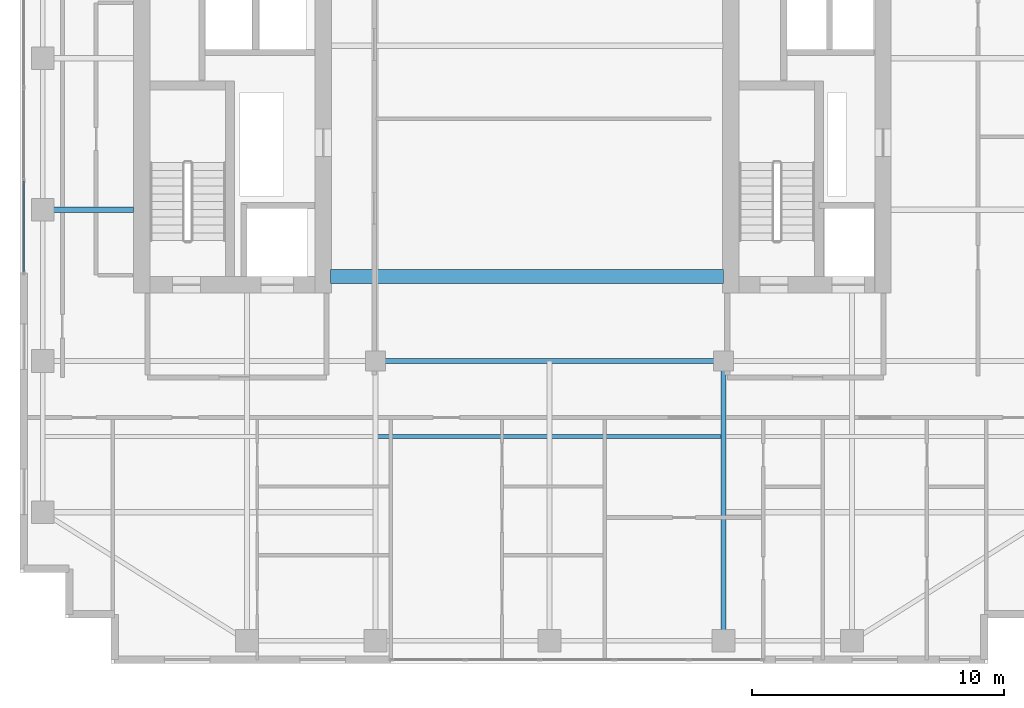
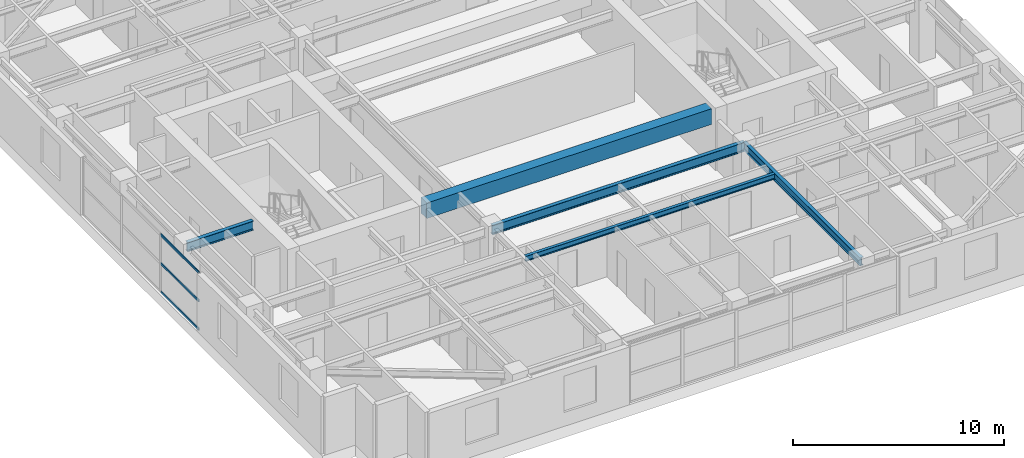
# One storey, part 7 of 24: 5 beams, 3 members, 1 element without a shape of its own.
"""IFC4 building model written with IfcOpenShell, lengths in metres."""

from ifc_helpers import new_model, si_unit, direction, frame, origin, origin_2d, place, context, subcontext, project, spatial, rectangle, hollow_rectangle, i_section, extrude, source, transform, mapped, material, layer, layer_set, material_profile, profile_set, type_object, element, aggregate, save


model = new_model("IFC4")

# Units and contexts
model_context = context("Model", 3, precision=1e-05, world=origin(), true_north=direction((0.0, 1.0)))
body_context = subcontext(model_context, "Body", "Model", "MODEL_VIEW")
ifc_project = project(units=[si_unit("LENGTHUNIT", "METRE"), si_unit("AREAUNIT", "SQUARE_METRE"), si_unit("VOLUMEUNIT", "CUBIC_METRE"), si_unit("PLANEANGLEUNIT", "RADIAN"), si_unit("MASSUNIT", "GRAM", prefix="KILO")], contexts=[model_context])

# Site, building, storey
site_placement = place(None, origin())
site = spatial("IfcSite", under=ifc_project, at=site_placement, CompositionType="ELEMENT")
building_placement = place(site_placement, origin())
building = spatial("IfcBuilding", under=site, at=building_placement, Name="Khoralis Quay Care Tower", CompositionType="ELEMENT")
storey_placement = place(building_placement, frame((0.0, 0.0, 155.699951171875)))
storey = spatial("IfcBuildingStorey", under=building, at=storey_placement, Name="L40", CompositionType="ELEMENT", Elevation=155.699951171875)

# Beams
ifc_material_1 = material(Name="Concrete C65/80", Category="concrete")
ifc_material_profile_1 = material_profile(ifc_material_1, rectangle(XDim=0.550048828125, YDim=0.89990234375, at=origin_2d()), Name="Concrete C65/80")
ifc_profile_set_1 = profile_set([ifc_material_profile_1], Name="Concrete C65/80")
beam_type_1 = type_object("IfcBeamType", Name="CB-RC550X900", PredefinedType="LINTEL", material=ifc_profile_set_1)
shared_shape_1 = source(origin(), body_context, "Body", "SweptSolid", [
    extrude(rectangle(XDim=0.550048828125, YDim=0.89990234375, at=origin_2d()), origin(), (0.0, 0.0, 1.0), 15.579833984375),
])
beam_1_placement = place(storey_placement, frame((15.320068359375, 15.35009765625, 2.89013671875), z_axis=(1.0, 0.0, 0.0), x_axis=(0.0, 1.0, 0.0)))
element("IfcBeam", 1, at=beam_1_placement, inside=storey, type_object=beam_type_1, Name="L40 South Core Coupling Lintel", PredefinedType="LINTEL", context=body_context, shape_type="MappedRepresentation", body=[
    mapped(shared_shape_1, transform((0.0, 0.0, 0.0), scale=1.0)),
])
ifc_material_2 = material(Name="Steel S355", Category="steel")
ifc_material_profile_2 = material_profile(ifc_material_2, i_section(OverallWidth=0.208984375, OverallDepth=0.532958984375, WebThickness=0.01025390625, FlangeThickness=0.015625, FilletRadius=0.01611328125, at=origin_2d()), Name="Steel S355")
ifc_profile_set_2 = profile_set([ifc_material_profile_2], Name="Steel S355")
beam_type_2 = type_object("IfcBeamType", Name="BM-W530X92", PredefinedType="BEAM", material=ifc_profile_set_2)
shared_shape_2 = source(origin(), body_context, "Body", "SweptSolid", [
    extrude(i_section(OverallWidth=0.208984375, OverallDepth=0.532958984375, WebThickness=0.01025390625, FlangeThickness=0.015625, FilletRadius=0.01611328125, at=origin_2d()), origin(), (0.0, 0.0, 1.0), 3.60205078125),
])
beam_2_placement = place(storey_placement, frame((3.89990234375, 18.0, 3.073486328125), z_axis=(1.0, 0.0, 0.0), x_axis=(0.0, 1.0, 0.0)))
element("IfcBeam", 2, at=beam_2_placement, inside=storey, type_object=beam_type_2, Name="BM-TGXW-L40-180", PredefinedType="BEAM", context=body_context, shape_type="MappedRepresentation", body=[
    mapped(shared_shape_2, transform((0.0, 0.0, 0.0), scale=1.0)),
])
shared_shape_3 = source(origin(), body_context, "Body", "SweptSolid", [
    extrude(i_section(OverallWidth=0.208984375, OverallDepth=0.532958984375, WebThickness=0.01025390625, FlangeThickness=0.015625, FilletRadius=0.01611328125, at=origin_2d()), origin(), (0.0, 0.0, 1.0), 13.7998046875),
])
beam_3_placement = place(storey_placement, frame((17.10009765625, 12.0, 3.073486328125), z_axis=(1.0, 0.0, 0.0), x_axis=(0.0, 1.0, 0.0)))
element("IfcBeam", 3, at=beam_3_placement, inside=storey, type_object=beam_type_2, Name="BM-TGCC-L40-120", PredefinedType="BEAM", context=body_context, shape_type="MappedRepresentation", body=[
    mapped(shared_shape_3, transform((0.0, 0.0, 0.0), scale=1.0)),
])
ifc_material_profile_3 = material_profile(ifc_material_2, i_section(OverallWidth=0.19189453125, OverallDepth=0.462890625, WebThickness=0.010498046875, FlangeThickness=0.017578125, FilletRadius=0.014892578125, at=origin_2d()), Name="Steel S355")
ifc_profile_set_3 = profile_set([ifc_material_profile_3], Name="Steel S355")
beam_type_3 = type_object("IfcBeamType", Name="BM-W460X89", PredefinedType="BEAM", material=ifc_profile_set_3)
shared_shape_4 = source(origin(), body_context, "Body", "SweptSolid", [
    extrude(i_section(OverallWidth=0.19189453125, OverallDepth=0.462890625, WebThickness=0.010498046875, FlangeThickness=0.017578125, FilletRadius=0.014892578125, at=origin_2d()), origin(), (0.0, 0.0, 1.0), 11.10009765625),
])
beam_4_placement = place(storey_placement, frame((30.89990234375, 0.89990234375, 3.108642578125), z_axis=(0.0, 1.0, 0.0), x_axis=(-1.0, 0.0, 0.0)))
element("IfcBeam", 4, at=beam_4_placement, inside=storey, type_object=beam_type_3, Name="BM-TGYS-L40-309", PredefinedType="BEAM", context=body_context, shape_type="MappedRepresentation", body=[
    mapped(shared_shape_4, transform((0.0, 0.0, 0.0), scale=1.0)),
])
ifc_material_profile_4 = material_profile(ifc_material_2, i_section(OverallWidth=0.1650390625, OverallDepth=0.31005859375, WebThickness=0.005859375, FlangeThickness=0.009765625, FilletRadius=0.011962890625, at=origin_2d()), Name="Steel S355")
ifc_profile_set_4 = profile_set([ifc_material_profile_4], Name="Steel S355")
beam_type_4 = type_object("IfcBeamType", Name="BM-W310X39", PredefinedType="JOIST", material=ifc_profile_set_4)
shared_shape_5 = source(origin(), body_context, "Body", "SweptSolid", [
    extrude(i_section(OverallWidth=0.1650390625, OverallDepth=0.31005859375, WebThickness=0.005859375, FlangeThickness=0.009765625, FilletRadius=0.011962890625, at=origin_2d()), origin(), (0.0, 0.0, 1.0), 13.6318359375),
])
beam_5_placement = place(storey_placement, frame((17.18408203125, 9.0, 3.18505859375), z_axis=(1.0, 0.0, 0.0), x_axis=(0.0, 1.0, 0.0)))
element("IfcBeam", 5, at=beam_5_placement, inside=storey, type_object=beam_type_4, Name="BM-TJS-L40-25", PredefinedType="JOIST", context=body_context, shape_type="MappedRepresentation", body=[
    mapped(shared_shape_5, transform((0.0, 0.0, 0.0), scale=1.0)),
])

# Curtain wall, members
ifc_material_3 = material(Name="Pale anodised aluminium", Category="aluminium")
ifc_layer = layer(ifc_material_3, 0.159912109375)
ifc_layer_set = layer_set([ifc_layer], Name="Pale anodised aluminium")
curtain_wall_type = type_object("IfcCurtainWallType", Name="CW-SYS-Z3", PredefinedType="NOTDEFINED", material=ifc_layer_set)
curtain_wall_placement = place(storey_placement, origin())
curtain_wall = element("IfcCurtainWall", 6, at=curtain_wall_placement, inside=storey, type_object=curtain_wall_type, Name="L40 Unitised Curtain Wall CW-L40-P1-E15", PredefinedType="NOTDEFINED")
ifc_material_profile_5 = material_profile(ifc_material_3, hollow_rectangle(XDim=0.06005859375, YDim=0.139892578125, WallThickness=0.00390625, at=origin_2d()), Name="Pale anodised aluminium")
ifc_profile_set_5 = profile_set([ifc_material_profile_5], Name="Pale anodised aluminium")
member_type = type_object("IfcMemberType", Name="CW-TRN-140", PredefinedType="USERDEFINED", material=ifc_profile_set_5)
shared_shape_6 = source(origin(), body_context, "Body", "SweptSolid", [
    extrude(hollow_rectangle(XDim=0.06005859375, YDim=0.139892578125, WallThickness=0.00390625, at=origin_2d()), origin(), (0.0, 0.0, 1.0), 3.58984375),
])
member_1_placement = place(storey_placement, frame((3.14990234375, 19.1298828125, 0.030029296875), z_axis=(0.0, -1.0, 0.0), x_axis=(1.0, 0.0, 0.0)))
member_1 = element("IfcMember", 7, at=member_1_placement, type_object=member_type, Name="CW3 transom 3.1", ObjectType="TRANSOM", PredefinedType="USERDEFINED", context=body_context, shape_type="MappedRepresentation", body=[
    mapped(shared_shape_6, transform((0.0, 0.0, 0.0), scale=1.0)),
])
member_2_placement = place(storey_placement, frame((3.14990234375, 19.1298828125, 1.670166015625), z_axis=(0.0, -1.0, 0.0), x_axis=(1.0, 0.0, 0.0)))
member_2 = element("IfcMember", 8, at=member_2_placement, type_object=member_type, Name="CW3 transom 3.2", ObjectType="TRANSOM", PredefinedType="USERDEFINED", context=body_context, shape_type="MappedRepresentation", body=[
    mapped(shared_shape_6, transform((0.0, 0.0, 0.0), scale=1.0)),
])
member_3_placement = place(storey_placement, frame((3.14990234375, 19.1298828125, 3.31005859375), z_axis=(0.0, -1.0, 0.0), x_axis=(1.0, 0.0, 0.0)))
member_3 = element("IfcMember", 9, at=member_3_placement, type_object=member_type, Name="CW3 transom 3.3", ObjectType="TRANSOM", PredefinedType="USERDEFINED", context=body_context, shape_type="MappedRepresentation", body=[
    mapped(shared_shape_6, transform((0.0, 0.0, 0.0), scale=1.0)),
])
aggregate(curtain_wall, [member_1, member_2, member_3])

save(model, "model.ifc")
